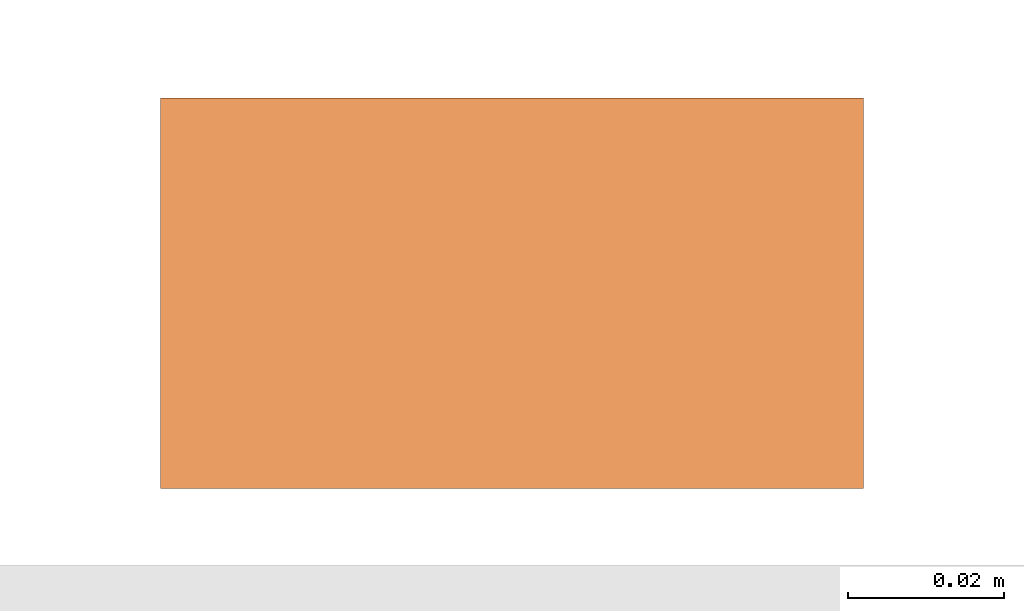
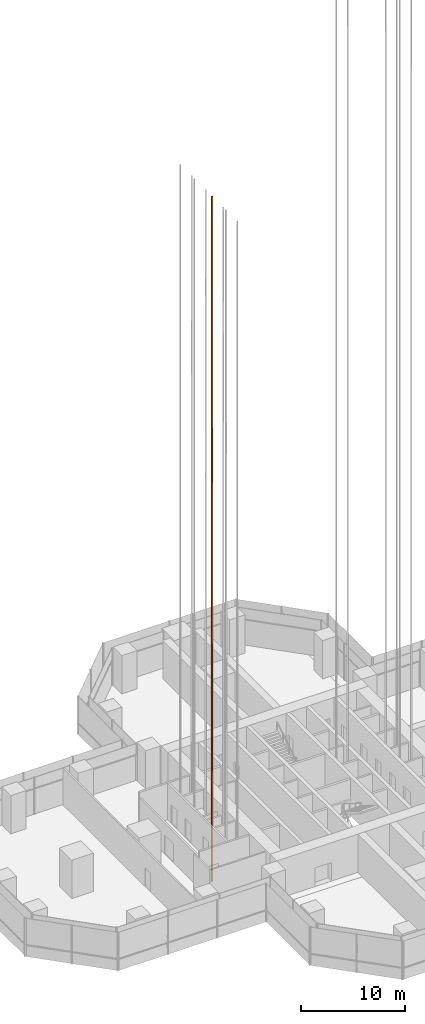
# One storey, part 24 of 34: 1 proxy.
"""IFC4 building model written with IfcOpenShell, lengths in metres."""

from ifc_helpers import new_model, si_unit, direction, frame, origin, origin_2d, place, context, subcontext, project, spatial, rectangle, extrude, material, element, save


model = new_model("IFC4")

# Units and contexts
model_context = context("Model", 3, precision=1e-05, world=origin(), true_north=direction((0.0, 1.0)))
body_context = subcontext(model_context, "Body", "Model", "MODEL_VIEW")
ifc_project = project(units=[si_unit("LENGTHUNIT", "METRE"), si_unit("AREAUNIT", "SQUARE_METRE"), si_unit("VOLUMEUNIT", "CUBIC_METRE"), si_unit("PLANEANGLEUNIT", "RADIAN"), si_unit("MASSUNIT", "GRAM", prefix="KILO")], contexts=[model_context])

# Site, building, storey
site_placement = place(None, origin())
site = spatial("IfcSite", under=ifc_project, at=site_placement, CompositionType="ELEMENT")
building_placement = place(site_placement, origin())
building = spatial("IfcBuilding", under=site, at=building_placement, Name="Mizan Broadcast Tower", CompositionType="ELEMENT")
storey_placement = place(building_placement, frame((0.0, 0.0, 194.39990234375)))
storey = spatial("IfcBuildingStorey", under=building, at=storey_placement, Name="L45", CompositionType="ELEMENT", Elevation=194.39990234375)

# Proxy
ifc_material = material(Name="Steel guide rail", Category="steel")
proxy_placement = place(storey_placement, frame((-12.27490234375, -0.614990234375, -3.89990234375), z_axis=(0.0, 0.0, 1.0), x_axis=(1.0, 0.0, 0.0)))
element("IfcBuildingElementProxy", 1, at=proxy_placement, inside=storey, material=ifc_material, Name="Guide rail LC3-2", PredefinedType="NOTDEFINED", context=body_context, shape_type="SweptSolid", body=[
    extrude(rectangle(XDim=0.090087890625, YDim=0.050048828125, at=origin_2d()), origin(), (0.0, 0.0, 1.0), 80.52001953125),
])

save(model, "model.ifc")
